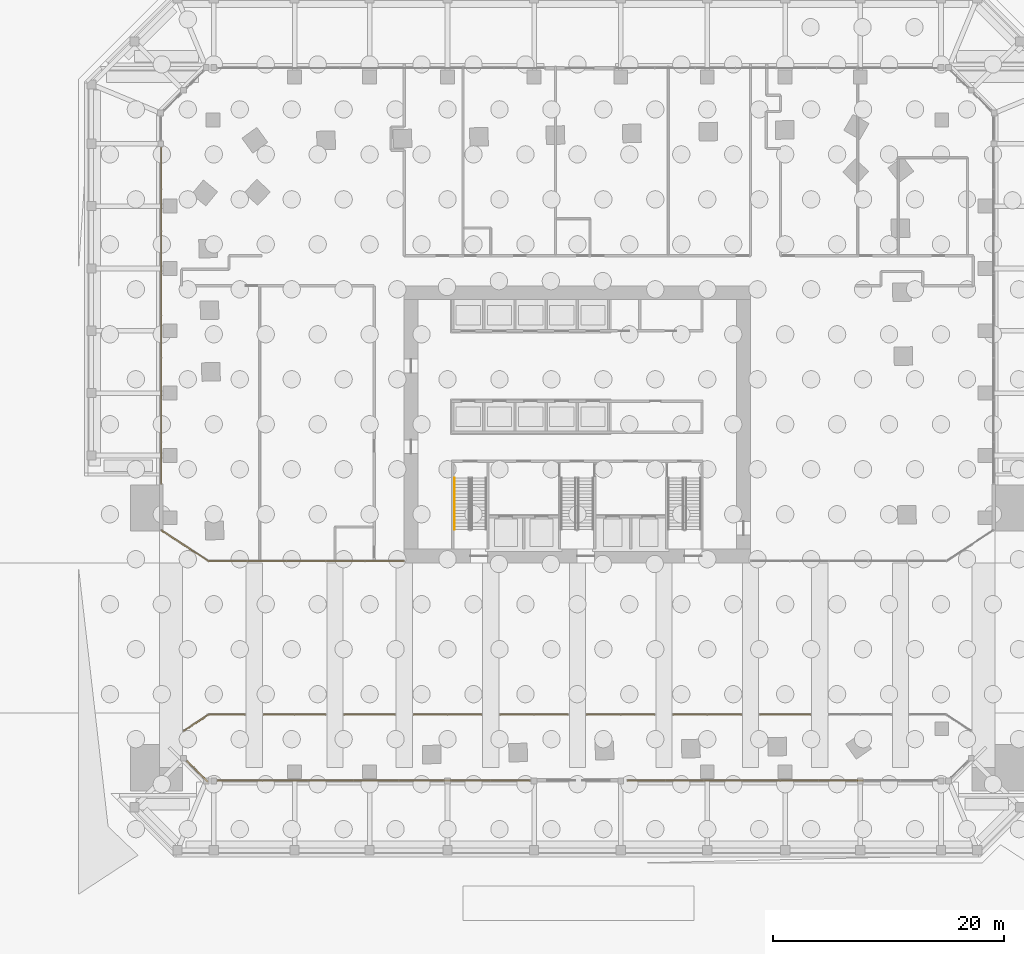
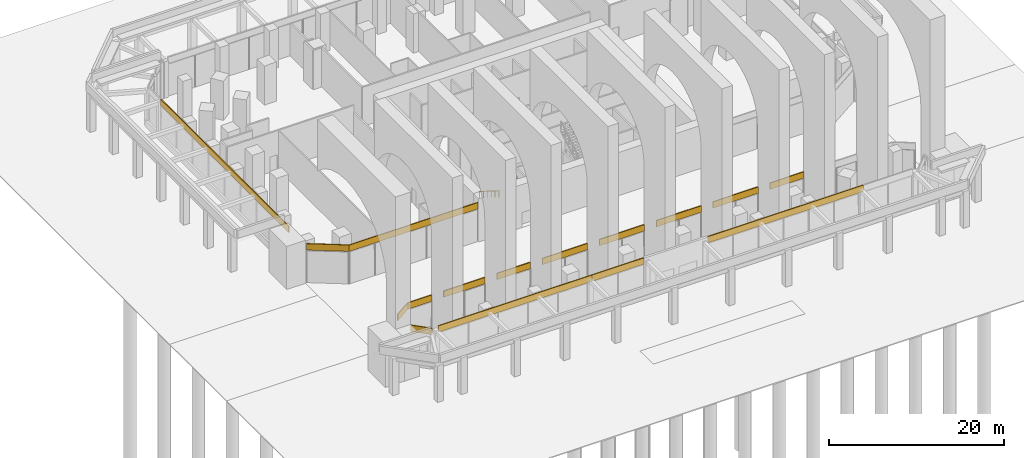
# One storey, part 43 of 46: 16 coverings, 1 railing.
"""IFC4 building model written with IfcOpenShell, lengths in metres."""

from ifc_helpers import new_model, si_unit, direction, frame, frame_2d, origin, origin_2d, place, context, subcontext, project, spatial, rectangle, circle, extrude, material, layer, layer_set, type_object, element, save


model = new_model("IFC4")

# Units and contexts
model_context = context("Model", 3, precision=1e-05, world=origin(), true_north=direction((0.0, 1.0)))
body_context = subcontext(model_context, "Body", "Model", "MODEL_VIEW")
ifc_project = project(units=[si_unit("LENGTHUNIT", "METRE"), si_unit("AREAUNIT", "SQUARE_METRE"), si_unit("VOLUMEUNIT", "CUBIC_METRE"), si_unit("PLANEANGLEUNIT", "RADIAN"), si_unit("MASSUNIT", "GRAM", prefix="KILO")], contexts=[model_context])

# Site, building, storey
site_placement = place(None, origin())
site = spatial("IfcSite", under=ifc_project, at=site_placement, CompositionType="ELEMENT")
building_placement = place(site_placement, origin())
building = spatial("IfcBuilding", under=site, at=building_placement, Name="Mangrove Gate Tower", CompositionType="ELEMENT")
storey_placement = place(building_placement, origin())
storey = spatial("IfcBuildingStorey", under=building, at=storey_placement, Name="L00", CompositionType="ELEMENT", Elevation=0.0)

# Railing
ifc_material_1 = material(Name="Stainless steel 316", Category="steel")
railing_type = type_object("IfcRailingType", Name="Core stair handrail 900", PredefinedType="HANDRAIL", material=ifc_material_1)
railing_placement = place(storey_placement, frame((-10.64990234375, -4.64990234375, 0.176513671875)))
element("IfcRailing", 1, at=railing_placement, inside=storey, type_object=railing_type, Name="L00 ST1 stair handrail 1", PredefinedType="HANDRAIL", context=body_context, shape_type="SweptSolid", body=[
    extrude(circle(Radius=0.02392578125, at=origin_2d()), frame((0.0, 0.0, 0.8759765625), z_axis=(0.0, -0.845997938375, 0.533186166611), x_axis=(1.0, 0.0, 0.0)), (0.0, 0.0, 1.0), 5.29541015625),
    extrude(circle(Radius=0.02099609375, at=origin_2d()), origin(), (0.0, 0.0, 1.0), 0.851806640625),
    extrude(circle(Radius=0.02099609375, at=origin_2d()), frame((0.0, -0.89599609375, 0.564697265625)), (0.0, 0.0, 1.0), 0.851806640625),
    extrude(circle(Radius=0.02099609375, at=origin_2d()), frame((0.0, -1.7919921875, 1.12939453125)), (0.0, 0.0, 1.0), 0.851806640625),
    extrude(circle(Radius=0.02099609375, at=origin_2d()), frame((0.0, -2.68798828125, 1.694091796875)), (0.0, 0.0, 1.0), 0.851806640625),
    extrude(circle(Radius=0.02099609375, at=origin_2d()), frame((0.0, -3.583984375, 2.2587890625)), (0.0, 0.0, 1.0), 0.851806640625),
    extrude(circle(Radius=0.02099609375, at=origin_2d()), frame((0.0, -4.47998046875, 2.823486328125)), (0.0, 0.0, 1.0), 0.851806640625),
])

# Coverings
ifc_material_2 = material(Name="Limestone", Category="masonry")
ifc_layer_1 = layer(ifc_material_2, 0.0400390625, Name="Limestone cladding")
ifc_material_3 = material(Name="Stainless steel anchors and cavity", Category="steel")
ifc_layer_2 = layer(ifc_material_3, 0.080078125, Name="Fixing cavity")
ifc_layer_set = layer_set([ifc_layer_1, ifc_layer_2], Name="Joint fascia cladding 120")
covering_type = type_object("IfcCoveringType", Name="Joint fascia cladding 120", PredefinedType="CLADDING", material=ifc_layer_set)
covering_1_placement = place(storey_placement, frame((20.219970703125, -25.14990234375, 4.570068359375), z_axis=(0.0, 0.0, 1.0), x_axis=(-1.0, 0.0, 0.0)))
element("IfcCovering", 2, at=covering_1_placement, inside=storey, type_object=covering_type, Name="STONE FASCIA L00 N4012 band 1", PredefinedType="CLADDING", context=body_context, shape_type="SweptSolid", body=[
    extrude(rectangle(XDim=4.43994140625, YDim=0.1201171875, at=frame_2d((2.219970703125, 0.0))), origin(), (0.0, 0.0, 1.0), 0.8798828125),
])
for number, where, z_axis, x_axis, name in (
    (3, (14.219970703125, -25.14990234375, 4.570068359375), (0.0, 0.0, 1.0), (-1.0, 0.0, 0.0), "STONE FASCIA L00 N4013 band 1"),
    (4, (6.719970703125, -25.14990234375, 4.570068359375), (0.0, 0.0, 1.0), (-1.0, 0.0, 0.0), "STONE FASCIA L00 N4014 band 1"),
    (5, (-0.780029296875, -25.14990234375, 4.570068359375), (0.0, 0.0, 1.0), (-1.0, 0.0, 0.0), "STONE FASCIA L00 N4015 band 1"),
    (6, (-8.280029296875, -25.14990234375, 4.570068359375), (0.0, 0.0, 1.0), (-1.0, 0.0, 0.0), "STONE FASCIA L00 N4016 band 1"),
):
    element("IfcCovering", number, at=place(storey_placement, frame(where, z_axis=z_axis, x_axis=x_axis)), inside=storey, type_object=covering_type, Name=name, PredefinedType="CLADDING", context=body_context, shape_type="SweptSolid", body=[
        extrude(rectangle(XDim=5.93994140625, YDim=0.1201171875, at=frame_2d((2.969970703125, 0.0))), origin(), (0.0, 0.0, 1.0), 0.8798828125),
    ])
covering_2_placement = place(storey_placement, frame((-15.780029296875, -25.14990234375, 4.570068359375), z_axis=(0.0, 0.0, 1.0), x_axis=(-1.0, 0.0, 0.0)))
element("IfcCovering", 7, at=covering_2_placement, inside=storey, type_object=covering_type, Name="STONE FASCIA L00 N4017 band 1", PredefinedType="CLADDING", context=body_context, shape_type="SweptSolid", body=[
    extrude(rectangle(XDim=4.43994140625, YDim=0.1201171875, at=frame_2d((2.219970703125, 0.0))), origin(), (0.0, 0.0, 1.0), 0.8798828125),
])
covering_3_placement = place(storey_placement, frame((-21.780029296875, -25.14990234375, 4.570068359375), z_axis=(0.0, 0.0, 1.0), x_axis=(-1.0, 0.0, 0.0)))
element("IfcCovering", 8, at=covering_3_placement, inside=storey, type_object=covering_type, Name="STONE FASCIA L00 N4018 band 1", PredefinedType="CLADDING", context=body_context, shape_type="SweptSolid", body=[
    extrude(rectangle(XDim=5.43994140625, YDim=0.1201171875, at=frame_2d((2.719970703125, 0.0))), origin(), (0.0, 0.0, 1.0), 0.8798828125),
])
covering_4_placement = place(storey_placement, frame((-28.780029296875, -25.14990234375, 4.570068359375), z_axis=(0.0, 0.0, 1.0), x_axis=(-1.0, 0.0, 0.0)))
element("IfcCovering", 9, at=covering_4_placement, inside=storey, type_object=covering_type, Name="STONE FASCIA L00 N4019 band 1", PredefinedType="CLADDING", context=body_context, shape_type="SweptSolid", body=[
    extrude(rectangle(XDim=3.175048828125, YDim=0.1201171875, at=frame_2d((1.58740234375, 0.0))), origin(), (0.0, 0.0, 1.0), 0.8798828125),
])
covering_5_placement = place(storey_placement, frame((-31.955078125, -25.14990234375, 4.570068359375), z_axis=(0.0, 0.0, 1.0), x_axis=(-0.836723526853, -0.547625546894, 0.0)))
element("IfcCovering", 10, at=covering_5_placement, inside=storey, type_object=covering_type, Name="STONE FASCIA L00 N2 band 1", PredefinedType="CLADDING", context=body_context, shape_type="SweptSolid", body=[
    extrude(rectangle(XDim=2.58740234375, YDim=0.1201171875, at=frame_2d((1.293701171875, 0.0))), origin(), (0.0, 0.0, 1.0), 0.8798828125),
])
covering_6_placement = place(storey_placement, frame((-33.84912109375, -29.138916015625, 4.570068359375), z_axis=(0.0, 0.0, 1.0), x_axis=(0.707106781187, -0.707106781187, 0.0)))
element("IfcCovering", 11, at=covering_6_placement, inside=storey, type_object=covering_type, Name="STONE FASCIA L00 W3 band 1", PredefinedType="CLADDING", context=body_context, shape_type="SweptSolid", body=[
    extrude(rectangle(XDim=2.574951171875, YDim=0.1201171875, at=frame_2d((1.28759765625, 0.0))), origin(), (0.0, 0.0, 1.0), 0.8798828125),
])
covering_7_placement = place(storey_placement, frame((-31.219970703125, -30.85009765625, 4.570068359375), z_axis=(0.0, 0.0, 1.0), x_axis=(1.0, 0.0, 0.0)))
element("IfcCovering", 12, at=covering_7_placement, inside=storey, type_object=covering_type, Name="STONE FASCIA L00 S4 band 1", PredefinedType="CLADDING", context=body_context, shape_type="SweptSolid", body=[
    extrude(rectangle(XDim=20.25, YDim=0.1201171875, at=frame_2d((10.125, 0.0))), origin(), (0.0, 0.0, 1.0), 0.8798828125),
])
covering_8_placement = place(storey_placement, frame((-10.969970703125, -30.85009765625, 4.570068359375), z_axis=(0.0, 0.0, 1.0), x_axis=(1.0, 0.0, 0.0)))
element("IfcCovering", 13, at=covering_8_placement, inside=storey, type_object=covering_type, Name="STONE FASCIA L00 S4 band 2", PredefinedType="CLADDING", context=body_context, shape_type="SweptSolid", body=[
    extrude(rectangle(XDim=6.869873046875, YDim=0.1201171875, at=frame_2d((3.43505859375, 0.0))), origin(), (0.0, 0.0, 1.0), 0.8798828125),
])
covering_9_placement = place(storey_placement, frame((4.300048828125, -30.85009765625, 4.570068359375), z_axis=(0.0, 0.0, 1.0), x_axis=(1.0, 0.0, 0.0)))
element("IfcCovering", 14, at=covering_9_placement, inside=storey, type_object=covering_type, Name="STONE FASCIA L00 S4 band 3", PredefinedType="CLADDING", context=body_context, shape_type="SweptSolid", body=[
    extrude(rectangle(XDim=20.47998046875, YDim=0.1201171875, at=frame_2d((10.239990234375, 0.0))), origin(), (0.0, 0.0, 1.0), 0.8798828125),
])
covering_10_placement = place(storey_placement, frame((-36.050048828125, -9.1689453125, 4.570068359375), z_axis=(0.0, 0.0, 1.0), x_axis=(0.836625876117, -0.54777471958, 0.0)))
element("IfcCovering", 15, at=covering_10_placement, inside=storey, type_object=covering_type, Name="STONE FASCIA L00 S6 band 1", PredefinedType="CLADDING", context=body_context, shape_type="SweptSolid", body=[
    extrude(rectangle(XDim=4.89453125, YDim=0.1201171875, at=frame_2d((2.447265625, 0.0))), origin(), (0.0, 0.0, 1.0), 0.8798828125),
])
covering_11_placement = place(storey_placement, frame((-32.0, -11.85009765625, 4.570068359375), z_axis=(0.0, 0.0, 1.0), x_axis=(1.0, 0.0, 0.0)))
element("IfcCovering", 16, at=covering_11_placement, inside=storey, type_object=covering_type, Name="STONE FASCIA L00 S7 band 1", PredefinedType="CLADDING", context=body_context, shape_type="SweptSolid", body=[
    extrude(rectangle(XDim=17.0, YDim=0.1201171875, at=frame_2d((8.5, 0.0))), origin(), (0.0, 0.0, 1.0), 0.8798828125),
])
covering_12_placement = place(storey_placement, frame((-36.050048828125, 24.02001953125, 4.570068359375), z_axis=(0.0, 0.0, 1.0), x_axis=(0.0, -1.0, 0.0)))
element("IfcCovering", 17, at=covering_12_placement, inside=storey, type_object=covering_type, Name="STONE FASCIA L00 W14 band 2", PredefinedType="CLADDING", context=body_context, shape_type="SweptSolid", body=[
    extrude(rectangle(XDim=29.205078125, YDim=0.1201171875, at=frame_2d((14.6025390625, 0.0))), origin(), (0.0, 0.0, 1.0), 0.8798828125),
])

save(model, "model.ifc")
